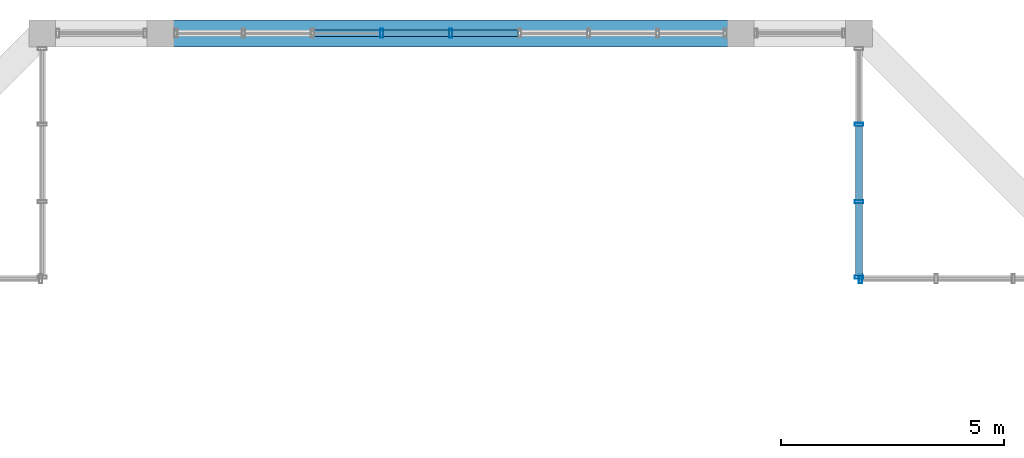
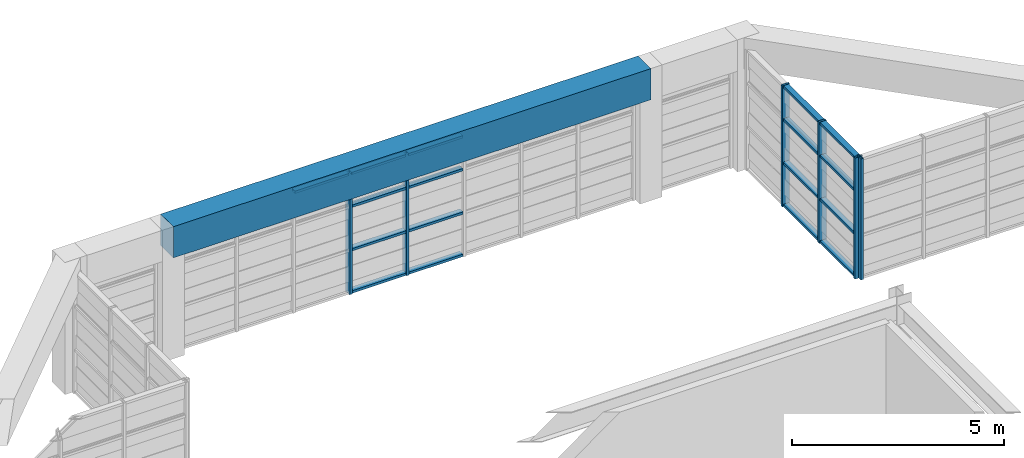
# One storey, part 18 of 27: 23 members, 1 beam, 3 elements without a shape of their own.
"""IFC4 building model written with IfcOpenShell, lengths in metres."""

from ifc_helpers import new_model, si_unit, direction, frame, origin, origin_2d, place, context, subcontext, project, spatial, rectangle, hollow_rectangle, extrude, source, transform, mapped, material, layer, layer_set, material_profile, profile_set, type_object, element, aggregate, save


model = new_model("IFC4")

# Units and contexts
model_context = context("Model", 3, precision=1e-05, world=origin(), true_north=direction((0.0, 1.0)))
body_context = subcontext(model_context, "Body", "Model", "MODEL_VIEW")
ifc_project = project(units=[si_unit("LENGTHUNIT", "METRE"), si_unit("AREAUNIT", "SQUARE_METRE"), si_unit("VOLUMEUNIT", "CUBIC_METRE"), si_unit("PLANEANGLEUNIT", "RADIAN"), si_unit("MASSUNIT", "GRAM", prefix="KILO")], contexts=[model_context])

# Site, building, storey
site_placement = place(None, origin())
site = spatial("IfcSite", under=ifc_project, at=site_placement, CompositionType="ELEMENT")
building_placement = place(site_placement, origin())
building = spatial("IfcBuilding", under=site, at=building_placement, Name="Saelheon Loggia Tower", CompositionType="ELEMENT")
storey_placement = place(building_placement, frame((0.0, 0.0, 256.0)))
storey = spatial("IfcBuildingStorey", under=building, at=storey_placement, Name="CR2", CompositionType="ELEMENT", Elevation=256.0)

# Beam
ifc_material_1 = material(Name="Precast Concrete C45/55", Category="concrete")
ifc_material_profile_1 = material_profile(ifc_material_1, rectangle(XDim=0.60009765625, YDim=0.89990234375, at=origin_2d()), Name="RC-600x900")
ifc_profile_set_1 = profile_set([ifc_material_profile_1], Name="Precast Concrete C45/55")
beam_type = type_object("IfcBeamType", Name="CrownFrame_Ring_RC600x900", PredefinedType="BEAM", material=ifc_profile_set_1)
shared_shape_1 = source(origin(), body_context, "Body", "SweptSolid", [
    extrude(rectangle(XDim=0.60009765625, YDim=0.89990234375, at=origin_2d()), origin(), (0.0, 0.0, 1.0), 13.0),
])
beam_placement = place(storey_placement, frame((44.5, 47.64990234375, 3.35009765625), z_axis=(-1.0, 0.0, 0.0), x_axis=(0.0, -1.0, 0.0)))
element("IfcBeam", 1, at=beam_placement, inside=storey, type_object=beam_type, Name="CR2 CROWN FRAME Ring Beam 10", PredefinedType="BEAM", context=body_context, shape_type="MappedRepresentation", body=[
    mapped(shared_shape_1, transform((0.0, 0.0, 0.0), scale=1.0)),
])

# Curtain wall, member
ifc_material_2 = material(Name="Bronze-Anodised Aluminium and Fritted Ceramic Screen", Category="aluminium")
ifc_layer = layer(ifc_material_2, 0.219970703125)
ifc_layer_set = layer_set([ifc_layer], Name="Bronze-Anodised Aluminium and Fritted Ceramic Screen")
curtain_wall_type = type_object("IfcCurtainWallType", Name="CW_CrownScreen", PredefinedType="NOTDEFINED", material=ifc_layer_set)
curtain_wall_1_placement = place(storey_placement, origin())
curtain_wall_1 = element("IfcCurtainWall", 2, at=curtain_wall_1_placement, inside=storey, type_object=curtain_wall_type, Name="CR2 Crown Screen Curtain Wall 4-1", PredefinedType="NOTDEFINED")
ifc_material_3 = material(Name="Bronze-Anodised Aluminium 6063-T6", Category="aluminium")
ifc_material_profile_2 = material_profile(ifc_material_3, hollow_rectangle(XDim=0.070068359375, YDim=0.199951171875, WallThickness=0.0048828125, at=origin_2d()), Name="RHS-200x70x5")
ifc_profile_set_2 = profile_set([ifc_material_profile_2], Name="Bronze-Anodised Aluminium 6063-T6")
member_type_1 = type_object("IfcMemberType", Name="CW_CrownScreen_Mullion", PredefinedType="MULLION", material=ifc_profile_set_2)
shared_shape_2 = source(origin(), body_context, "Body", "SweptSolid", [
    extrude(hollow_rectangle(XDim=0.070068359375, YDim=0.199951171875, WallThickness=0.0048828125, at=origin_2d()), origin(), (0.0, 0.0, 1.0), 3.47998046875),
])
member_1_placement = place(storey_placement, frame((47.18505859375, 42.14990234375, 0.0), z_axis=(0.0, 0.0, 1.0), x_axis=(-1.0, 0.0, 0.0)))
member_1 = element("IfcMember", 3, at=member_1_placement, type_object=member_type_1, Name="CW6 mullion 4", PredefinedType="MULLION", context=body_context, shape_type="MappedRepresentation", body=[
    mapped(shared_shape_2, transform((0.0, 0.0, 0.0), scale=1.0)),
])
aggregate(curtain_wall_1, [member_1])

# Curtain wall, members
curtain_wall_2_placement = place(storey_placement, origin())
curtain_wall_2 = element("IfcCurtainWall", 4, at=curtain_wall_2_placement, inside=storey, type_object=curtain_wall_type, Name="CR2 Crown Screen Curtain Wall 5-1", PredefinedType="NOTDEFINED")
member_2_placement = place(storey_placement, frame((47.14990234375, 42.18505859375, 0.0), z_axis=(0.0, 0.0, 1.0), x_axis=(0.0, 1.0, 0.0)))
member_2 = element("IfcMember", 5, at=member_2_placement, type_object=member_type_1, Name="CW6 mullion 1", PredefinedType="MULLION", context=body_context, shape_type="MappedRepresentation", body=[
    mapped(shared_shape_2, transform((0.0, 0.0, 0.0), scale=1.0)),
])
member_3_placement = place(storey_placement, frame((47.14990234375, 43.8798828125, 0.0), z_axis=(0.0, 0.0, 1.0), x_axis=(0.0, 1.0, 0.0)))
member_3 = element("IfcMember", 6, at=member_3_placement, type_object=member_type_1, Name="CW6 mullion 2", PredefinedType="MULLION", context=body_context, shape_type="MappedRepresentation", body=[
    mapped(shared_shape_2, transform((0.0, 0.0, 0.0), scale=1.0)),
])
member_4_placement = place(storey_placement, frame((47.14990234375, 45.610107421875, 0.0), z_axis=(0.0, 0.0, 1.0), x_axis=(0.0, 1.0, 0.0)))
member_4 = element("IfcMember", 7, at=member_4_placement, type_object=member_type_1, Name="CW6 mullion 3", PredefinedType="MULLION", context=body_context, shape_type="MappedRepresentation", body=[
    mapped(shared_shape_2, transform((0.0, 0.0, 0.0), scale=1.0)),
])

curtain_wall_3_placement = place(storey_placement, origin())
curtain_wall_3 = element("IfcCurtainWall", 8, at=curtain_wall_3_placement, inside=storey, type_object=curtain_wall_type, Name="CR2 Crown Screen Curtain Wall 6-2", PredefinedType="NOTDEFINED")
member_5_placement = place(storey_placement, frame((38.0, 47.64990234375, 0.0), z_axis=(0.0, 0.0, 1.0), x_axis=(-1.0, 0.0, 0.0)))
member_5 = element("IfcMember", 9, at=member_5_placement, type_object=member_type_1, Name="CW6 mullion 5", PredefinedType="MULLION", context=body_context, shape_type="MappedRepresentation", body=[
    mapped(shared_shape_2, transform((0.0, 0.0, 0.0), scale=1.0)),
])
member_6_placement = place(storey_placement, frame((36.452392578125, 47.64990234375, 0.0), z_axis=(0.0, 0.0, 1.0), x_axis=(-1.0, 0.0, 0.0)))
member_6 = element("IfcMember", 10, at=member_6_placement, type_object=member_type_1, Name="CW6 mullion 6", PredefinedType="MULLION", context=body_context, shape_type="MappedRepresentation", body=[
    mapped(shared_shape_2, transform((0.0, 0.0, 0.0), scale=1.0)),
])
ifc_material_profile_3 = material_profile(ifc_material_3, hollow_rectangle(XDim=0.070068359375, YDim=0.14990234375, WallThickness=0.0048828125, at=origin_2d()), Name="RHS-150x70x5")
ifc_profile_set_3 = profile_set([ifc_material_profile_3], Name="Bronze-Anodised Aluminium 6063-T6")
member_type_2 = type_object("IfcMemberType", Name="CW_CrownScreen_Transom", PredefinedType="USERDEFINED", material=ifc_profile_set_3)
shared_shape_3 = source(origin(), body_context, "Body", "SweptSolid", [
    extrude(hollow_rectangle(XDim=0.070068359375, YDim=0.14990234375, WallThickness=0.0048828125, at=origin_2d()), origin(), (0.0, 0.0, 1.0), 1.4775390625),
])
member_7_placement = place(storey_placement, frame((39.512451171875, 47.64990234375, 0.034912109375), z_axis=(-1.0, 0.0, 0.0), x_axis=(0.0, 0.0, 1.0)))
member_7 = element("IfcMember", 11, at=member_7_placement, type_object=member_type_2, Name="CW6 transom 4.1", ObjectType="TRANSOM", PredefinedType="USERDEFINED", context=body_context, shape_type="MappedRepresentation", body=[
    mapped(shared_shape_3, transform((0.0, 0.0, 0.0), scale=1.0)),
])
member_8_placement = place(storey_placement, frame((39.512451171875, 47.64990234375, 1.25), z_axis=(-1.0, 0.0, 0.0), x_axis=(0.0, 0.0, 1.0)))
member_8 = element("IfcMember", 12, at=member_8_placement, type_object=member_type_2, Name="CW6 transom 4.2", ObjectType="TRANSOM", PredefinedType="USERDEFINED", context=body_context, shape_type="MappedRepresentation", body=[
    mapped(shared_shape_3, transform((0.0, 0.0, 0.0), scale=1.0)),
])
member_9_placement = place(storey_placement, frame((39.512451171875, 47.64990234375, 2.5), z_axis=(-1.0, 0.0, 0.0), x_axis=(0.0, 0.0, 1.0)))
member_9 = element("IfcMember", 13, at=member_9_placement, type_object=member_type_2, Name="CW6 transom 4.3", ObjectType="TRANSOM", PredefinedType="USERDEFINED", context=body_context, shape_type="MappedRepresentation", body=[
    mapped(shared_shape_3, transform((0.0, 0.0, 0.0), scale=1.0)),
])
member_10_placement = place(storey_placement, frame((39.512451171875, 47.64990234375, 3.445068359375), z_axis=(-1.0, 0.0, 0.0), x_axis=(0.0, 0.0, 1.0)))
member_10 = element("IfcMember", 14, at=member_10_placement, type_object=member_type_2, Name="CW6 transom 4.4", ObjectType="TRANSOM", PredefinedType="USERDEFINED", context=body_context, shape_type="MappedRepresentation", body=[
    mapped(shared_shape_3, transform((0.0, 0.0, 0.0), scale=1.0)),
])
member_11_placement = place(storey_placement, frame((37.965087890625, 47.64990234375, 0.034912109375), z_axis=(-1.0, 0.0, 0.0), x_axis=(0.0, 0.0, 1.0)))
member_11 = element("IfcMember", 15, at=member_11_placement, type_object=member_type_2, Name="CW6 transom 5.1", ObjectType="TRANSOM", PredefinedType="USERDEFINED", context=body_context, shape_type="MappedRepresentation", body=[
    mapped(shared_shape_3, transform((0.0, 0.0, 0.0), scale=1.0)),
])
member_12_placement = place(storey_placement, frame((37.965087890625, 47.64990234375, 1.25), z_axis=(-1.0, 0.0, 0.0), x_axis=(0.0, 0.0, 1.0)))
member_12 = element("IfcMember", 16, at=member_12_placement, type_object=member_type_2, Name="CW6 transom 5.2", ObjectType="TRANSOM", PredefinedType="USERDEFINED", context=body_context, shape_type="MappedRepresentation", body=[
    mapped(shared_shape_3, transform((0.0, 0.0, 0.0), scale=1.0)),
])
member_13_placement = place(storey_placement, frame((37.965087890625, 47.64990234375, 2.5), z_axis=(-1.0, 0.0, 0.0), x_axis=(0.0, 0.0, 1.0)))
member_13 = element("IfcMember", 17, at=member_13_placement, type_object=member_type_2, Name="CW6 transom 5.3", ObjectType="TRANSOM", PredefinedType="USERDEFINED", context=body_context, shape_type="MappedRepresentation", body=[
    mapped(shared_shape_3, transform((0.0, 0.0, 0.0), scale=1.0)),
])
member_14_placement = place(storey_placement, frame((37.965087890625, 47.64990234375, 3.445068359375), z_axis=(-1.0, 0.0, 0.0), x_axis=(0.0, 0.0, 1.0)))
member_14 = element("IfcMember", 18, at=member_14_placement, type_object=member_type_2, Name="CW6 transom 5.4", ObjectType="TRANSOM", PredefinedType="USERDEFINED", context=body_context, shape_type="MappedRepresentation", body=[
    mapped(shared_shape_3, transform((0.0, 0.0, 0.0), scale=1.0)),
])
member_15_placement = place(storey_placement, frame((36.41748046875, 47.64990234375, 3.445068359375), z_axis=(-1.0, 0.0, 0.0), x_axis=(0.0, 0.0, 1.0)))
member_15 = element("IfcMember", 19, at=member_15_placement, type_object=member_type_2, Name="CW6 transom 6.4", ObjectType="TRANSOM", PredefinedType="USERDEFINED", context=body_context, shape_type="MappedRepresentation", body=[
    mapped(shared_shape_3, transform((0.0, 0.0, 0.0), scale=1.0)),
])
aggregate(curtain_wall_3, [member_5, member_6, member_7, member_8, member_9, member_10, member_11, member_12, member_13, member_14, member_15])

# Member
shared_shape_4 = source(origin(), body_context, "Body", "SweptSolid", [
    extrude(hollow_rectangle(XDim=0.070068359375, YDim=0.14990234375, WallThickness=0.0048828125, at=origin_2d()), origin(), (0.0, 0.0, 1.0), 1.625),
])
member_16_placement = place(storey_placement, frame((47.14990234375, 42.219970703125, 0.034912109375), z_axis=(0.0, 1.0, 0.0), x_axis=(0.0, 0.0, 1.0)))
member_16 = element("IfcMember", 20, at=member_16_placement, type_object=member_type_2, Name="CW6 transom 1.1", ObjectType="TRANSOM", PredefinedType="USERDEFINED", context=body_context, shape_type="MappedRepresentation", body=[
    mapped(shared_shape_4, transform((0.0, 0.0, 0.0), scale=1.0)),
])

member_17_placement = place(storey_placement, frame((47.14990234375, 42.219970703125, 1.25), z_axis=(0.0, 1.0, 0.0), x_axis=(0.0, 0.0, 1.0)))
member_17 = element("IfcMember", 21, at=member_17_placement, type_object=member_type_2, Name="CW6 transom 1.2", ObjectType="TRANSOM", PredefinedType="USERDEFINED", context=body_context, shape_type="MappedRepresentation", body=[
    mapped(shared_shape_4, transform((0.0, 0.0, 0.0), scale=1.0)),
])

member_18_placement = place(storey_placement, frame((47.14990234375, 42.219970703125, 2.5), z_axis=(0.0, 1.0, 0.0), x_axis=(0.0, 0.0, 1.0)))
member_18 = element("IfcMember", 22, at=member_18_placement, type_object=member_type_2, Name="CW6 transom 1.3", ObjectType="TRANSOM", PredefinedType="USERDEFINED", context=body_context, shape_type="MappedRepresentation", body=[
    mapped(shared_shape_4, transform((0.0, 0.0, 0.0), scale=1.0)),
])

member_19_placement = place(storey_placement, frame((47.14990234375, 42.219970703125, 3.445068359375), z_axis=(0.0, 1.0, 0.0), x_axis=(0.0, 0.0, 1.0)))
member_19 = element("IfcMember", 23, at=member_19_placement, type_object=member_type_2, Name="CW6 transom 1.4", ObjectType="TRANSOM", PredefinedType="USERDEFINED", context=body_context, shape_type="MappedRepresentation", body=[
    mapped(shared_shape_4, transform((0.0, 0.0, 0.0), scale=1.0)),
])

shared_shape_5 = source(origin(), body_context, "Body", "SweptSolid", [
    extrude(hollow_rectangle(XDim=0.070068359375, YDim=0.14990234375, WallThickness=0.0048828125, at=origin_2d()), origin(), (0.0, 0.0, 1.0), 1.659912109375),
])
member_20_placement = place(storey_placement, frame((47.14990234375, 43.9150390625, 0.034912109375), z_axis=(0.0, 1.0, 0.0), x_axis=(0.0, 0.0, 1.0)))
member_20 = element("IfcMember", 24, at=member_20_placement, type_object=member_type_2, Name="CW6 transom 2.1", ObjectType="TRANSOM", PredefinedType="USERDEFINED", context=body_context, shape_type="MappedRepresentation", body=[
    mapped(shared_shape_5, transform((0.0, 0.0, 0.0), scale=1.0)),
])

member_21_placement = place(storey_placement, frame((47.14990234375, 43.9150390625, 1.25), z_axis=(0.0, 1.0, 0.0), x_axis=(0.0, 0.0, 1.0)))
member_21 = element("IfcMember", 25, at=member_21_placement, type_object=member_type_2, Name="CW6 transom 2.2", ObjectType="TRANSOM", PredefinedType="USERDEFINED", context=body_context, shape_type="MappedRepresentation", body=[
    mapped(shared_shape_5, transform((0.0, 0.0, 0.0), scale=1.0)),
])

member_22_placement = place(storey_placement, frame((47.14990234375, 43.9150390625, 2.5), z_axis=(0.0, 1.0, 0.0), x_axis=(0.0, 0.0, 1.0)))
member_22 = element("IfcMember", 26, at=member_22_placement, type_object=member_type_2, Name="CW6 transom 2.3", ObjectType="TRANSOM", PredefinedType="USERDEFINED", context=body_context, shape_type="MappedRepresentation", body=[
    mapped(shared_shape_5, transform((0.0, 0.0, 0.0), scale=1.0)),
])

member_23_placement = place(storey_placement, frame((47.14990234375, 43.9150390625, 3.445068359375), z_axis=(0.0, 1.0, 0.0), x_axis=(0.0, 0.0, 1.0)))
member_23 = element("IfcMember", 27, at=member_23_placement, type_object=member_type_2, Name="CW6 transom 2.4", ObjectType="TRANSOM", PredefinedType="USERDEFINED", context=body_context, shape_type="MappedRepresentation", body=[
    mapped(shared_shape_5, transform((0.0, 0.0, 0.0), scale=1.0)),
])

aggregate(curtain_wall_2, [member_2, member_3, member_4, member_16, member_17, member_18, member_19, member_20, member_21, member_22, member_23])

save(model, "model.ifc")
